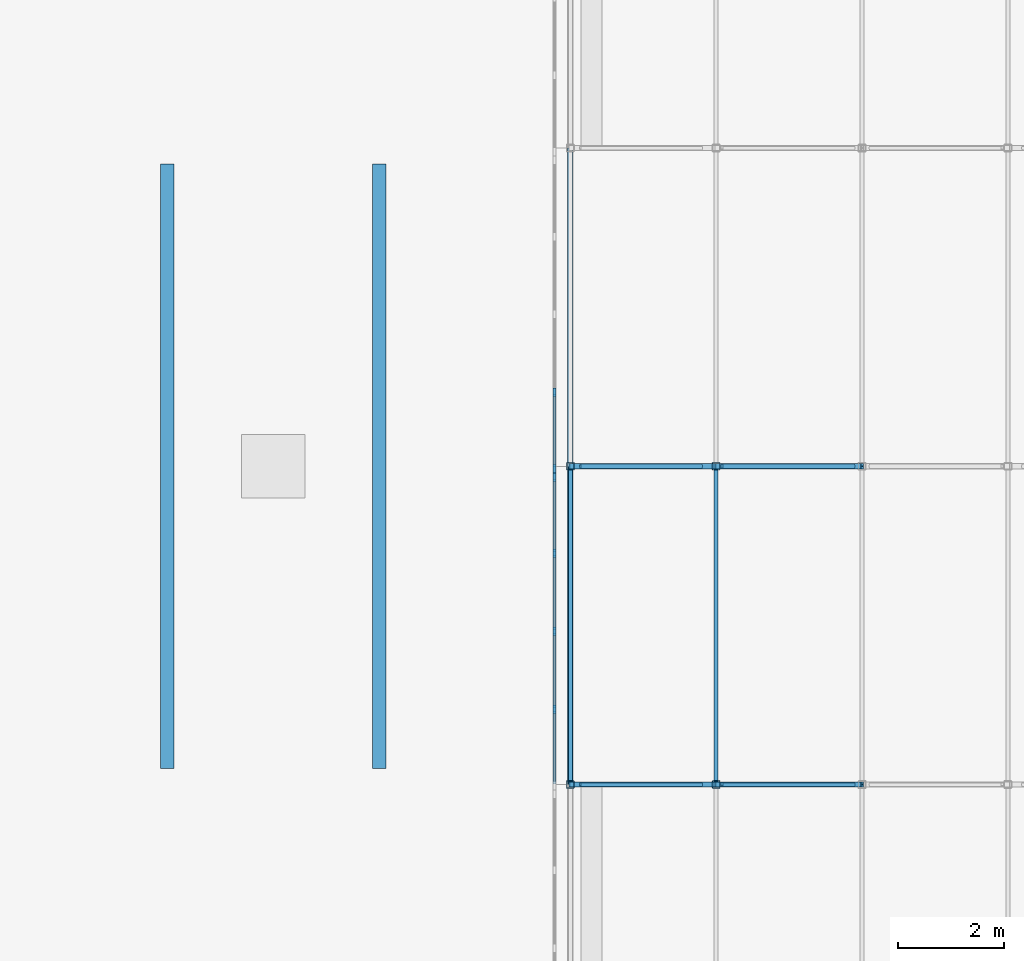
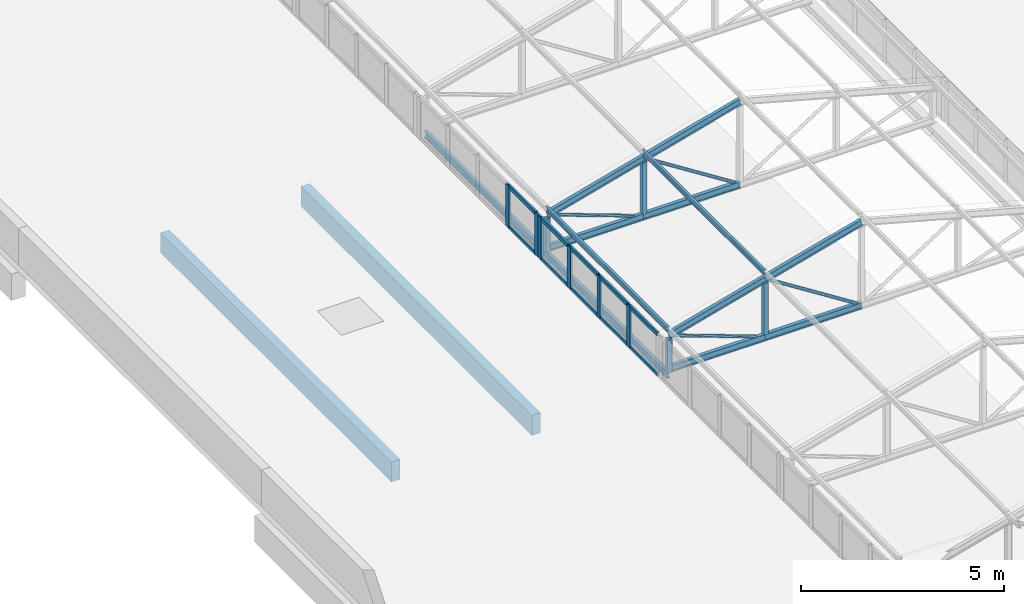
# One storey, part 39 of 94: 34 members, 3 beams, 2 elements without a shape of their own.
"""IFC4 building model written with IfcOpenShell, lengths in metres."""

from ifc_helpers import new_model, si_unit, direction, frame, origin, origin_2d, place, context, subcontext, project, spatial, rectangle, hollow_rectangle, hollow_circle, i_section, extrude, material, layer, layer_set, material_profile, profile_set, type_object, element, aggregate, save


model = new_model("IFC4")

# Units and contexts
model_context = context("Model", 3, precision=1e-05, world=origin(), true_north=direction((0.0, 1.0)))
body_context = subcontext(model_context, "Body", "Model", "MODEL_VIEW")
ifc_project = project(units=[si_unit("LENGTHUNIT", "METRE"), si_unit("AREAUNIT", "SQUARE_METRE"), si_unit("VOLUMEUNIT", "CUBIC_METRE"), si_unit("PLANEANGLEUNIT", "RADIAN"), si_unit("MASSUNIT", "GRAM", prefix="KILO")], contexts=[model_context])

# Site, building, storey
site_placement = place(None, origin())
site = spatial("IfcSite", under=ifc_project, at=site_placement, CompositionType="ELEMENT")
building_placement = place(site_placement, origin())
building = spatial("IfcBuilding", under=site, at=building_placement, Name="Lilac Gate Convention Centre", CompositionType="ELEMENT")
storey_placement = place(building_placement, frame((0.0, 0.0, 21.0)))
storey = spatial("IfcBuildingStorey", under=building, at=storey_placement, Name="L04", CompositionType="ELEMENT", Elevation=21.0)

# Curtain wall, members
ifc_material_1 = material(Name="Aluminium framed double glazing", Category="aluminium")
ifc_layer = layer(ifc_material_1, 0.199951171875)
ifc_layer_set = layer_set([ifc_layer], Name="Aluminium framed double glazing")
curtain_wall_type = type_object("IfcCurtainWallType", Name="Unitised curtain wall 1500", PredefinedType="NOTDEFINED", material=ifc_layer_set)
curtain_wall_1_placement = place(storey_placement, origin())
curtain_wall_1 = element("IfcCurtainWall", 1, at=curtain_wall_1_placement, inside=storey, type_object=curtain_wall_type, Name="Lantern clerestory W 21", PredefinedType="NOTDEFINED")
ifc_material_2 = material(Name="Aluminium alloy 6063", Category="aluminium")
ifc_material_profile_1 = material_profile(ifc_material_2, rectangle(XDim=0.06005859375, YDim=0.159912109375, at=origin_2d()), Name="Curtain wall mullion 60 x 160")
ifc_profile_set_1 = profile_set([ifc_material_profile_1], Name="Aluminium alloy 6063")
member_type_1 = type_object("IfcMemberType", Name="Curtain wall mullion 60 x 160", PredefinedType="MULLION", material=ifc_profile_set_1)
member_1_placement = place(storey_placement, frame((17.300048828125, 151.418701171875, 0.0), z_axis=(0.0, 0.0, 1.0), x_axis=(-1.0, 0.0, 0.0)))
member_1 = element("IfcMember", 2, at=member_1_placement, type_object=member_type_1, Name="CW mullion 2", PredefinedType="MULLION", context=body_context, shape_type="SweptSolid", body=[
    extrude(rectangle(XDim=0.06005859375, YDim=0.159912109375, at=origin_2d()), origin(), (0.0, 0.0, 1.0), 1.272216796875),
])
member_2_placement = place(storey_placement, frame((17.300048828125, 152.887451171875, 0.0), z_axis=(0.0, 0.0, 1.0), x_axis=(-1.0, 0.0, 0.0)))
member_2 = element("IfcMember", 3, at=member_2_placement, type_object=member_type_1, Name="CW mullion 3", PredefinedType="MULLION", context=body_context, shape_type="SweptSolid", body=[
    extrude(rectangle(XDim=0.06005859375, YDim=0.159912109375, at=origin_2d()), origin(), (0.0, 0.0, 1.0), 1.272216796875),
])
member_3_placement = place(storey_placement, frame((17.300048828125, 154.356201171875, 0.0), z_axis=(0.0, 0.0, 1.0), x_axis=(-1.0, 0.0, 0.0)))
member_3 = element("IfcMember", 4, at=member_3_placement, type_object=member_type_1, Name="CW mullion 4", PredefinedType="MULLION", context=body_context, shape_type="SweptSolid", body=[
    extrude(rectangle(XDim=0.06005859375, YDim=0.159912109375, at=origin_2d()), origin(), (0.0, 0.0, 1.0), 1.272216796875),
])
member_4_placement = place(storey_placement, frame((17.300048828125, 155.794921875, 0.0), z_axis=(0.0, 0.0, 1.0), x_axis=(-1.0, 0.0, 0.0)))
member_4 = element("IfcMember", 5, at=member_4_placement, type_object=member_type_1, Name="CW mullion 5", PredefinedType="MULLION", context=body_context, shape_type="SweptSolid", body=[
    extrude(rectangle(XDim=0.06005859375, YDim=0.159912109375, at=origin_2d()), origin(), (0.0, 0.0, 1.0), 1.272216796875),
])

curtain_wall_2_placement = place(storey_placement, origin())
curtain_wall_2 = element("IfcCurtainWall", 6, at=curtain_wall_2_placement, inside=storey, type_object=curtain_wall_type, Name="Lantern clerestory W 22", PredefinedType="NOTDEFINED")
member_5_placement = place(storey_placement, frame((17.300048828125, 155.955078125, 0.0), z_axis=(0.0, 0.0, 1.0), x_axis=(-1.0, 0.0, 0.0)))
member_5 = element("IfcMember", 7, at=member_5_placement, type_object=member_type_1, Name="CW mullion 1", PredefinedType="MULLION", context=body_context, shape_type="SweptSolid", body=[
    extrude(rectangle(XDim=0.06005859375, YDim=0.159912109375, at=origin_2d()), origin(), (0.0, 0.0, 1.0), 1.272216796875),
])
member_6_placement = place(storey_placement, frame((17.300048828125, 157.393798828125, 0.0), z_axis=(0.0, 0.0, 1.0), x_axis=(-1.0, 0.0, 0.0)))
member_6 = element("IfcMember", 8, at=member_6_placement, type_object=member_type_1, Name="CW mullion 2", PredefinedType="MULLION", context=body_context, shape_type="SweptSolid", body=[
    extrude(rectangle(XDim=0.06005859375, YDim=0.159912109375, at=origin_2d()), origin(), (0.0, 0.0, 1.0), 1.272216796875),
])

# Member
ifc_material_profile_2 = material_profile(ifc_material_2, rectangle(XDim=0.06005859375, YDim=0.1201171875, at=origin_2d()), Name="Curtain wall transom 60 x 120")
ifc_profile_set_2 = profile_set([ifc_material_profile_2], Name="Aluminium alloy 6063")
member_type_2 = type_object("IfcMemberType", Name="Curtain wall transom 60 x 120", PredefinedType="USERDEFINED", material=ifc_profile_set_2)
member_7_placement = place(storey_placement, frame((17.300048828125, 150.010009765625, 0.030029296875), z_axis=(0.0, 1.0, 0.0), x_axis=(-1.0, 0.0, 0.0)))
member_7 = element("IfcMember", 9, at=member_7_placement, type_object=member_type_2, Name="CW transom 1.1", ObjectType="TRANSOM", PredefinedType="USERDEFINED", context=body_context, shape_type="SweptSolid", body=[
    extrude(rectangle(XDim=0.06005859375, YDim=0.1201171875, at=origin_2d()), origin(), (0.0, 0.0, 1.0), 1.378662109375),
])

member_8_placement = place(storey_placement, frame((17.300048828125, 150.010009765625, 1.2421875), z_axis=(0.0, 1.0, 0.0), x_axis=(-1.0, 0.0, 0.0)))
member_8 = element("IfcMember", 10, at=member_8_placement, type_object=member_type_2, Name="CW transom 1.2", ObjectType="TRANSOM", PredefinedType="USERDEFINED", context=body_context, shape_type="SweptSolid", body=[
    extrude(rectangle(XDim=0.06005859375, YDim=0.1201171875, at=origin_2d()), origin(), (0.0, 0.0, 1.0), 1.378662109375),
])

member_9_placement = place(storey_placement, frame((17.300048828125, 151.44873046875, 0.030029296875), z_axis=(0.0, 1.0, 0.0), x_axis=(-1.0, 0.0, 0.0)))
member_9 = element("IfcMember", 11, at=member_9_placement, type_object=member_type_2, Name="CW transom 2.1", ObjectType="TRANSOM", PredefinedType="USERDEFINED", context=body_context, shape_type="SweptSolid", body=[
    extrude(rectangle(XDim=0.06005859375, YDim=0.1201171875, at=origin_2d()), origin(), (0.0, 0.0, 1.0), 1.40869140625),
])

member_10_placement = place(storey_placement, frame((17.300048828125, 151.44873046875, 1.2421875), z_axis=(0.0, 1.0, 0.0), x_axis=(-1.0, 0.0, 0.0)))
member_10 = element("IfcMember", 12, at=member_10_placement, type_object=member_type_2, Name="CW transom 2.2", ObjectType="TRANSOM", PredefinedType="USERDEFINED", context=body_context, shape_type="SweptSolid", body=[
    extrude(rectangle(XDim=0.06005859375, YDim=0.1201171875, at=origin_2d()), origin(), (0.0, 0.0, 1.0), 1.40869140625),
])

member_11_placement = place(storey_placement, frame((17.300048828125, 152.91748046875, 0.030029296875), z_axis=(0.0, 1.0, 0.0), x_axis=(-1.0, 0.0, 0.0)))
member_11 = element("IfcMember", 13, at=member_11_placement, type_object=member_type_2, Name="CW transom 3.1", ObjectType="TRANSOM", PredefinedType="USERDEFINED", context=body_context, shape_type="SweptSolid", body=[
    extrude(rectangle(XDim=0.06005859375, YDim=0.1201171875, at=origin_2d()), origin(), (0.0, 0.0, 1.0), 1.40869140625),
])

member_12_placement = place(storey_placement, frame((17.300048828125, 152.91748046875, 1.2421875), z_axis=(0.0, 1.0, 0.0), x_axis=(-1.0, 0.0, 0.0)))
member_12 = element("IfcMember", 14, at=member_12_placement, type_object=member_type_2, Name="CW transom 3.2", ObjectType="TRANSOM", PredefinedType="USERDEFINED", context=body_context, shape_type="SweptSolid", body=[
    extrude(rectangle(XDim=0.06005859375, YDim=0.1201171875, at=origin_2d()), origin(), (0.0, 0.0, 1.0), 1.40869140625),
])

member_13_placement = place(storey_placement, frame((17.300048828125, 154.38623046875, 0.030029296875), z_axis=(0.0, 1.0, 0.0), x_axis=(-1.0, 0.0, 0.0)))
member_13 = element("IfcMember", 15, at=member_13_placement, type_object=member_type_2, Name="CW transom 4.1", ObjectType="TRANSOM", PredefinedType="USERDEFINED", context=body_context, shape_type="SweptSolid", body=[
    extrude(rectangle(XDim=0.06005859375, YDim=0.1201171875, at=origin_2d()), origin(), (0.0, 0.0, 1.0), 1.378662109375),
])

member_14_placement = place(storey_placement, frame((17.300048828125, 154.38623046875, 1.2421875), z_axis=(0.0, 1.0, 0.0), x_axis=(-1.0, 0.0, 0.0)))
member_14 = element("IfcMember", 16, at=member_14_placement, type_object=member_type_2, Name="CW transom 4.2", ObjectType="TRANSOM", PredefinedType="USERDEFINED", context=body_context, shape_type="SweptSolid", body=[
    extrude(rectangle(XDim=0.06005859375, YDim=0.1201171875, at=origin_2d()), origin(), (0.0, 0.0, 1.0), 1.378662109375),
])

aggregate(curtain_wall_1, [member_1, member_2, member_3, member_4, member_7, member_8, member_9, member_10, member_11, member_12, member_13, member_14])

member_15_placement = place(storey_placement, frame((17.300048828125, 155.985107421875, 0.030029296875), z_axis=(0.0, 1.0, 0.0), x_axis=(-1.0, 0.0, 0.0)))
member_15 = element("IfcMember", 17, at=member_15_placement, type_object=member_type_2, Name="CW transom 1.1", ObjectType="TRANSOM", PredefinedType="USERDEFINED", context=body_context, shape_type="SweptSolid", body=[
    extrude(rectangle(XDim=0.06005859375, YDim=0.1201171875, at=origin_2d()), origin(), (0.0, 0.0, 1.0), 1.378662109375),
])

member_16_placement = place(storey_placement, frame((17.300048828125, 155.985107421875, 1.2421875), z_axis=(0.0, 1.0, 0.0), x_axis=(-1.0, 0.0, 0.0)))
member_16 = element("IfcMember", 18, at=member_16_placement, type_object=member_type_2, Name="CW transom 1.2", ObjectType="TRANSOM", PredefinedType="USERDEFINED", context=body_context, shape_type="SweptSolid", body=[
    extrude(rectangle(XDim=0.06005859375, YDim=0.1201171875, at=origin_2d()), origin(), (0.0, 0.0, 1.0), 1.378662109375),
])

aggregate(curtain_wall_2, [member_5, member_6, member_15, member_16])

# Members
ifc_material_3 = material(Name="Steel Q355B", Category="steel")
ifc_material_profile_3 = material_profile(ifc_material_3, i_section(OverallWidth=0.10009765625, OverallDepth=0.199951171875, WebThickness=0.005615234375, FlangeThickness=0.008056640625, FilletRadius=0.008056640625, at=origin_2d()), Name="HN200x100x5.5x8")
ifc_profile_set_3 = profile_set([ifc_material_profile_3], Name="Steel Q355B")
member_type_3 = type_object("IfcMemberType", Name="Lantern bottom chord HN200x100x5.5x8", PredefinedType="CHORD", material=ifc_profile_set_3)
for number, where, z_axis, x_axis, name in (
    (19, (17.60009765625, 150.0, 0.10009765625), (1.0, 0.0, 0.0), (0.0, 1.0, 0.0), "LB1 lantern truss 21 bottom chord 1"),
    (20, (20.35009765625, 150.0, 0.10009765625), (1.0, 0.0, 0.0), (0.0, 1.0, 0.0), "LB1 lantern truss 21 bottom chord 2"),
    (21, (17.60009765625, 156.0, 0.10009765625), (1.0, 0.0, 0.0), (0.0, 1.0, 0.0), "LB1 lantern truss 22 bottom chord 1"),
    (22, (20.35009765625, 156.0, 0.10009765625), (1.0, 0.0, 0.0), (0.0, 1.0, 0.0), "LB1 lantern truss 22 bottom chord 2"),
):
    element("IfcMember", number, at=place(storey_placement, frame(where, z_axis=z_axis, x_axis=x_axis)), inside=storey, type_object=member_type_3, Name=name, PredefinedType="CHORD", context=body_context, shape_type="SweptSolid", body=[
        extrude(i_section(OverallWidth=0.10009765625, OverallDepth=0.199951171875, WebThickness=0.005615234375, FlangeThickness=0.008056640625, FilletRadius=0.008056640625, at=origin_2d()), origin(), (0.0, 0.0, 1.0), 2.75),
    ])
ifc_material_profile_4 = material_profile(ifc_material_3, hollow_circle(Radius=0.04443359375, WallThickness=0.0048828125, at=origin_2d()), Name="CHS88.9x5")
ifc_profile_set_4 = profile_set([ifc_material_profile_4], Name="Steel Q355B")
member_type_4 = type_object("IfcMemberType", Name="Lantern diagonal CHS88.9x5", PredefinedType="BRACE", material=ifc_profile_set_4)
member_17_placement = place(storey_placement, frame((17.789794921875, 150.0, 1.031005859375), z_axis=(0.939781696917, 0.0, -0.341775309434), x_axis=(0.0, 1.0, 0.0)))
element("IfcMember", 23, at=member_17_placement, inside=storey, type_object=member_type_4, Name="LW1 lantern truss 21 diagonal 1", PredefinedType="BRACE", context=body_context, shape_type="SweptSolid", body=[
    extrude(hollow_circle(Radius=0.04443359375, WallThickness=0.0048828125, at=origin_2d()), origin(), (0.0, 0.0, 1.0), 2.431640625),
])
member_18_placement = place(storey_placement, frame((20.45849609375, 150.0, 1.781005859375), z_axis=(0.843647832412, 0.0, -0.536896949951), x_axis=(0.0, 1.0, 0.0)))
element("IfcMember", 24, at=member_18_placement, inside=storey, type_object=member_type_4, Name="LW1 lantern truss 21 diagonal 2", PredefinedType="BRACE", context=body_context, shape_type="SweptSolid", body=[
    extrude(hollow_circle(Radius=0.04443359375, WallThickness=0.0048828125, at=origin_2d()), origin(), (0.0, 0.0, 1.0), 2.94482421875),
])
member_19_placement = place(storey_placement, frame((17.789794921875, 156.0, 1.031005859375), z_axis=(0.939781696917, 0.0, -0.341775309434), x_axis=(0.0, 1.0, 0.0)))
element("IfcMember", 25, at=member_19_placement, inside=storey, type_object=member_type_4, Name="LW1 lantern truss 22 diagonal 1", PredefinedType="BRACE", context=body_context, shape_type="SweptSolid", body=[
    extrude(hollow_circle(Radius=0.04443359375, WallThickness=0.0048828125, at=origin_2d()), origin(), (0.0, 0.0, 1.0), 2.431640625),
])
member_20_placement = place(storey_placement, frame((20.45849609375, 156.0, 1.781005859375), z_axis=(0.843647832412, 0.0, -0.536896949951), x_axis=(0.0, 1.0, 0.0)))
element("IfcMember", 26, at=member_20_placement, inside=storey, type_object=member_type_4, Name="LW1 lantern truss 22 diagonal 2", PredefinedType="BRACE", context=body_context, shape_type="SweptSolid", body=[
    extrude(hollow_circle(Radius=0.04443359375, WallThickness=0.0048828125, at=origin_2d()), origin(), (0.0, 0.0, 1.0), 2.94482421875),
])
ifc_material_profile_5 = material_profile(ifc_material_3, hollow_rectangle(XDim=0.139892578125, YDim=0.139892578125, WallThickness=0.0048828125, InnerFilletRadius=0.0048828125, OuterFilletRadius=0.010009765625, at=origin_2d()), Name="SHS140x140x5")
ifc_profile_set_5 = profile_set([ifc_material_profile_5], Name="Steel Q355B")
member_type_5 = type_object("IfcMemberType", Name="Lantern post SHS140x140x5", PredefinedType="STRUT", material=ifc_profile_set_5)
member_21_placement = place(storey_placement, frame((17.60009765625, 150.0, 0.0), z_axis=(0.0, 0.0, 1.0), x_axis=(1.0, 0.0, 0.0)))
element("IfcMember", 27, at=member_21_placement, inside=storey, type_object=member_type_5, Name="LV1 lantern truss 21 post 1", PredefinedType="STRUT", context=body_context, shape_type="SweptSolid", body=[
    extrude(hollow_rectangle(XDim=0.139892578125, YDim=0.139892578125, WallThickness=0.0048828125, InnerFilletRadius=0.0048828125, OuterFilletRadius=0.010009765625, at=origin_2d()), origin(), (0.0, 0.0, 1.0), 1.001953125),
])
member_22_placement = place(storey_placement, frame((20.35009765625, 150.0, 0.199951171875), z_axis=(0.0, 0.0, 1.0), x_axis=(1.0, 0.0, 0.0)))
element("IfcMember", 28, at=member_22_placement, inside=storey, type_object=member_type_5, Name="LV1 lantern truss 21 post 2", PredefinedType="STRUT", context=body_context, shape_type="SweptSolid", body=[
    extrude(hollow_rectangle(XDim=0.139892578125, YDim=0.139892578125, WallThickness=0.0048828125, InnerFilletRadius=0.0048828125, OuterFilletRadius=0.010009765625, at=origin_2d()), origin(), (0.0, 0.0, 1.0), 1.546142578125),
])
member_23_placement = place(storey_placement, frame((17.60009765625, 156.0, 0.0), z_axis=(0.0, 0.0, 1.0), x_axis=(1.0, 0.0, 0.0)))
element("IfcMember", 29, at=member_23_placement, inside=storey, type_object=member_type_5, Name="LV1 lantern truss 22 post 1", PredefinedType="STRUT", context=body_context, shape_type="SweptSolid", body=[
    extrude(hollow_rectangle(XDim=0.139892578125, YDim=0.139892578125, WallThickness=0.0048828125, InnerFilletRadius=0.0048828125, OuterFilletRadius=0.010009765625, at=origin_2d()), origin(), (0.0, 0.0, 1.0), 1.001953125),
])
member_24_placement = place(storey_placement, frame((20.35009765625, 156.0, 0.199951171875), z_axis=(0.0, 0.0, 1.0), x_axis=(1.0, 0.0, 0.0)))
element("IfcMember", 30, at=member_24_placement, inside=storey, type_object=member_type_5, Name="LV1 lantern truss 22 post 2", PredefinedType="STRUT", context=body_context, shape_type="SweptSolid", body=[
    extrude(hollow_rectangle(XDim=0.139892578125, YDim=0.139892578125, WallThickness=0.0048828125, InnerFilletRadius=0.0048828125, OuterFilletRadius=0.010009765625, at=origin_2d()), origin(), (0.0, 0.0, 1.0), 1.546142578125),
])
ifc_material_profile_6 = material_profile(ifc_material_3, i_section(OverallWidth=0.074951171875, OverallDepth=0.14990234375, WebThickness=0.0048828125, FlangeThickness=0.007080078125, FilletRadius=0.008056640625, at=origin_2d()), Name="HN150x75x5x7")
ifc_profile_set_6 = profile_set([ifc_material_profile_6], Name="Steel Q355B")
member_type_6 = type_object("IfcMemberType", Name="Lantern purlin HN150x75x5x7", PredefinedType="PURLIN", material=ifc_profile_set_6)
for number, where, z_axis, x_axis, name in (
    (31, (17.60009765625, 150.0, 1.279052734375), (0.0, 1.0, 0.0), (-1.0, 0.0, 0.0), "LP1 lantern purlin bay 21 line 1"),
    (32, (20.35009765625, 150.0, 2.029052734375), (0.0, 1.0, 0.0), (-1.0, 0.0, 0.0), "LP1 lantern purlin bay 21 line 2"),
):
    element("IfcMember", number, at=place(storey_placement, frame(where, z_axis=z_axis, x_axis=x_axis)), inside=storey, type_object=member_type_6, Name=name, PredefinedType="PURLIN", context=body_context, shape_type="SweptSolid", body=[
        extrude(i_section(OverallWidth=0.074951171875, OverallDepth=0.14990234375, WebThickness=0.0048828125, FlangeThickness=0.007080078125, FilletRadius=0.008056640625, at=origin_2d()), origin(), (0.0, 0.0, 1.0), 6.0),
    ])
ifc_material_profile_7 = material_profile(ifc_material_3, i_section(OverallWidth=0.10009765625, OverallDepth=0.199951171875, WebThickness=0.005615234375, FlangeThickness=0.008056640625, FilletRadius=0.008056640625, at=origin_2d()), Name="HN200x100x5.5x8")
ifc_profile_set_7 = profile_set([ifc_material_profile_7], Name="Steel Q355B")
member_type_7 = type_object("IfcMemberType", Name="Lantern top chord HN200x100x5.5x8", PredefinedType="CHORD", material=ifc_profile_set_7)
for number, where, z_axis, x_axis, name in (
    (33, (17.60009765625, 150.0, 1.10009765625), (0.964763821238, 0.0, 0.263117405792), (0.0, 1.0, 0.0), "LT1 lantern truss 21 top chord 1"),
    (34, (20.35009765625, 150.0, 1.85009765625), (0.964763821238, 0.0, 0.263117405792), (0.0, 1.0, 0.0), "LT1 lantern truss 21 top chord 2"),
    (35, (17.60009765625, 156.0, 1.10009765625), (0.964763821238, 0.0, 0.263117405792), (0.0, 1.0, 0.0), "LT1 lantern truss 22 top chord 1"),
    (36, (20.35009765625, 156.0, 1.85009765625), (0.964763821238, 0.0, 0.263117405792), (0.0, 1.0, 0.0), "LT1 lantern truss 22 top chord 2"),
):
    element("IfcMember", number, at=place(storey_placement, frame(where, z_axis=z_axis, x_axis=x_axis)), inside=storey, type_object=member_type_7, Name=name, PredefinedType="CHORD", context=body_context, shape_type="SweptSolid", body=[
        extrude(i_section(OverallWidth=0.10009765625, OverallDepth=0.199951171875, WebThickness=0.005615234375, FlangeThickness=0.008056640625, FilletRadius=0.008056640625, at=origin_2d()), origin(), (0.0, 0.0, 1.0), 2.850341796875),
    ])

# Beams
ifc_material_profile_8 = material_profile(ifc_material_3, i_section(OverallWidth=0.10009765625, OverallDepth=0.199951171875, WebThickness=0.005615234375, FlangeThickness=0.008056640625, FilletRadius=0.008056640625, at=origin_2d()), Name="HN200x100x5.5x8")
ifc_profile_set_8 = profile_set([ifc_material_profile_8], Name="Steel Q355B")
beam_type_1 = type_object("IfcBeamType", Name="Steel edge beam HN200x100x5.5x8", PredefinedType="BEAM", material=ifc_profile_set_8)
beam_placement = place(storey_placement, frame((17.60009765625, 150.0, -0.10009765625), z_axis=(0.0, 1.0, 0.0), x_axis=(-1.0, 0.0, 0.0)))
element("IfcBeam", 37, at=beam_placement, inside=storey, type_object=beam_type_1, Name="LE2 lantern west edge beam 11", PredefinedType="BEAM", context=body_context, shape_type="SweptSolid", body=[
    extrude(i_section(OverallWidth=0.10009765625, OverallDepth=0.199951171875, WebThickness=0.005615234375, FlangeThickness=0.008056640625, FilletRadius=0.008056640625, at=origin_2d()), origin(), (0.0, 0.0, 1.0), 12.0),
])
ifc_material_4 = material(Name="Concrete C40", Category="concrete")
ifc_material_profile_9 = material_profile(ifc_material_4, rectangle(XDim=0.25, YDim=0.60009765625, at=origin_2d()), Name="RC 250x600")
ifc_profile_set_9 = profile_set([ifc_material_profile_9], Name="Concrete C40")
beam_type_2 = type_object("IfcBeamType", Name="Tower secondary beam 250x600 C40", PredefinedType="BEAM", material=ifc_profile_set_9)
for number, where, z_axis, x_axis, name in (
    (38, (10.0, 150.300048828125, -0.5), (0.0, 1.0, 0.0), (-1.0, 0.0, 0.0), "RB4 L04 bay 1/L"),
    (39, (14.0, 150.300048828125, -0.5), (0.0, 1.0, 0.0), (-1.0, 0.0, 0.0), "RB4 L04 bay 1/L"),
):
    element("IfcBeam", number, at=place(storey_placement, frame(where, z_axis=z_axis, x_axis=x_axis)), inside=storey, type_object=beam_type_2, Name=name, PredefinedType="BEAM", context=body_context, shape_type="SweptSolid", body=[
        extrude(rectangle(XDim=0.25, YDim=0.60009765625, at=origin_2d()), origin(), (0.0, 0.0, 1.0), 11.39990234375),
    ])

save(model, "model.ifc")
